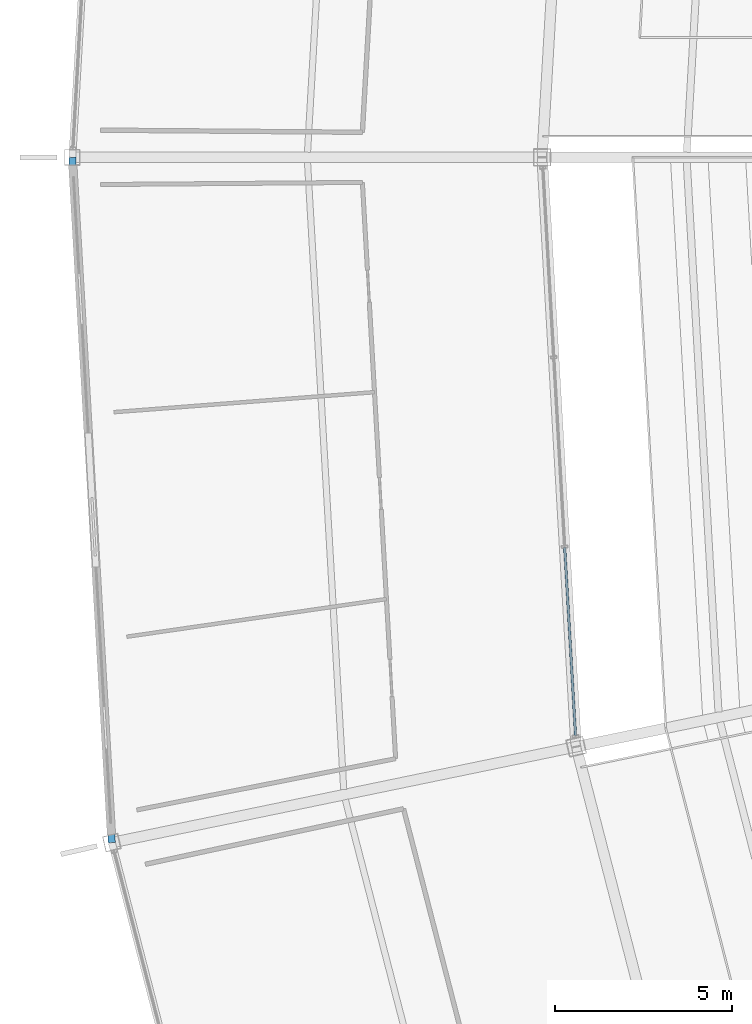
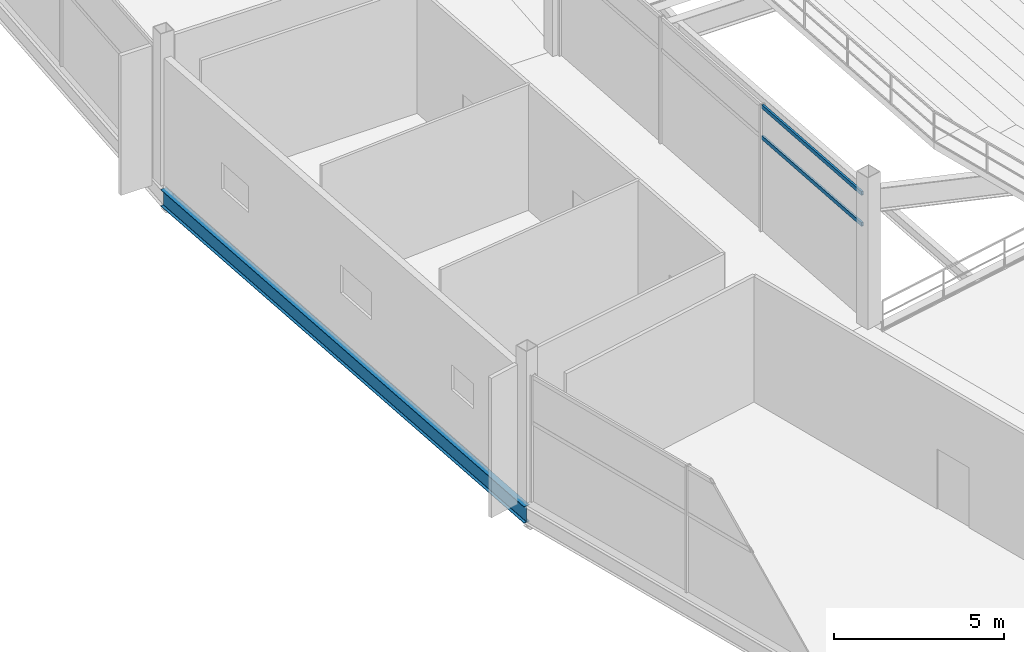
# One storey, part 43 of 186: 2 members, 1 beam, 1 element without a shape of its own.
"""IFC4 building model written with IfcOpenShell, lengths in metres."""

from ifc_helpers import new_model, si_unit, direction, frame, origin, origin_2d, place, context, subcontext, project, spatial, hollow_rectangle, i_section, extrude, material, layer, layer_set, material_profile, profile_set, type_object, element, aggregate, save


model = new_model("IFC4")

# Units and contexts
model_context = context("Model", 3, precision=1e-05, world=origin(), true_north=direction((0.0, 1.0)))
body_context = subcontext(model_context, "Body", "Model", "MODEL_VIEW")
ifc_project = project(units=[si_unit("LENGTHUNIT", "METRE"), si_unit("AREAUNIT", "SQUARE_METRE"), si_unit("VOLUMEUNIT", "CUBIC_METRE"), si_unit("PLANEANGLEUNIT", "RADIAN"), si_unit("MASSUNIT", "GRAM", prefix="KILO")], contexts=[model_context])

# Site, building, storey
site_placement = place(None, origin())
site = spatial("IfcSite", under=ifc_project, at=site_placement, CompositionType="ELEMENT")
building_placement = place(site_placement, origin())
building = spatial("IfcBuilding", under=site, at=building_placement, Name="Kazemori Nagisa Stadium", CompositionType="ELEMENT")
storey_placement = place(building_placement, frame((0.0, 0.0, 20.39990234375)))
storey = spatial("IfcBuildingStorey", under=building, at=storey_placement, Name="L04", CompositionType="ELEMENT", Elevation=20.39990234375)

# Beam
ifc_material_1 = material(Name="Steel SN490B", Category="steel")
ifc_material_profile_1 = material_profile(ifc_material_1, i_section(OverallWidth=0.199951171875, OverallDepth=0.60009765625, WebThickness=0.010986328125, FlangeThickness=0.01708984375, FilletRadius=0.012939453125, at=origin_2d()), Name="H-600x200x11x17")
ifc_profile_set_1 = profile_set([ifc_material_profile_1], Name="Steel SN490B")
beam_type = type_object("IfcBeamType", Name="Beam_BS-H600", PredefinedType="SPANDREL", material=ifc_profile_set_1)
beam_placement = place(storey_placement, frame((28.0, 102.0, -0.599853515625), z_axis=(0.057598702622, -0.998339816624, 0.0), x_axis=(0.998339816624, 0.057598702622, 0.0)))
element("IfcBeam", 1, at=beam_placement, inside=storey, type_object=beam_type, Name="Ring girder BS-H600 L04 R3-15", PredefinedType="SPANDREL", context=body_context, shape_type="SweptSolid", body=[
    extrude(i_section(OverallWidth=0.199951171875, OverallDepth=0.60009765625, WebThickness=0.010986328125, FlangeThickness=0.01708984375, FilletRadius=0.012939453125, at=origin_2d()), origin(), (0.0, 0.0, 1.0), 19.429931640625),
])

# Curtain wall, members
ifc_material_2 = material(Name="Anodised aluminium 6063-T5", Category="aluminium")
ifc_layer = layer(ifc_material_2, 0.179931640625, Name="Anodised aluminium 6063-T5", Category="aluminium")
ifc_layer_set = layer_set([ifc_layer], Name="Anodised aluminium 6063-T5")
curtain_wall_type = type_object("IfcCurtainWallType", Name="CW_L04B_81", PredefinedType="USERDEFINED", material=ifc_layer_set)
curtain_wall_placement = place(storey_placement, origin())
curtain_wall = element("IfcCurtainWall", 2, at=curtain_wall_placement, inside=storey, type_object=curtain_wall_type, Name="Unitised curtain wall CW-L04B-81 L04", ObjectType="UNITISED CURTAIN WALL", PredefinedType="USERDEFINED")
ifc_material_3 = material(Name="Aluminium 6063-T5 anodised", Category="aluminium")
ifc_material_profile_2 = material_profile(ifc_material_3, hollow_rectangle(XDim=0.070068359375, YDim=0.139892578125, WallThickness=0.00390625, at=origin_2d()), Name="ALU-TRAN-70x140x4")
ifc_profile_set_2 = profile_set([ifc_material_profile_2], Name="Aluminium 6063-T5 anodised")
member_type = type_object("IfcMemberType", Name="Transom_T01", PredefinedType="USERDEFINED", material=ifc_profile_set_2)
member_1_placement = place(storey_placement, frame((41.937255859375, 90.956787109375, 3.352294921875), z_axis=(0.057589515593, -0.998340346622, 0.0), x_axis=(0.998340346622, 0.057589515593, 0.0)))
member_1 = element("IfcMember", 3, at=member_1_placement, type_object=member_type, Name="Curtain wall transom CW-L04B-81-T3-mid", ObjectType="TRANSOM", PredefinedType="USERDEFINED", context=body_context, shape_type="SweptSolid", body=[
    extrude(hollow_rectangle(XDim=0.070068359375, YDim=0.139892578125, WallThickness=0.00390625, at=origin_2d()), origin(), (0.0, 0.0, 1.0), 5.3330078125),
])
member_2_placement = place(storey_placement, frame((41.937255859375, 90.956787109375, 4.460205078125), z_axis=(0.057589515593, -0.998340346622, 0.0), x_axis=(0.998340346622, 0.057589515593, 0.0)))
member_2 = element("IfcMember", 4, at=member_2_placement, type_object=member_type, Name="Curtain wall transom CW-L04B-81-T3-head", ObjectType="TRANSOM", PredefinedType="USERDEFINED", context=body_context, shape_type="SweptSolid", body=[
    extrude(hollow_rectangle(XDim=0.070068359375, YDim=0.139892578125, WallThickness=0.00390625, at=origin_2d()), origin(), (0.0, 0.0, 1.0), 5.3330078125),
])
aggregate(curtain_wall, [member_1, member_2])

save(model, "model.ifc")
